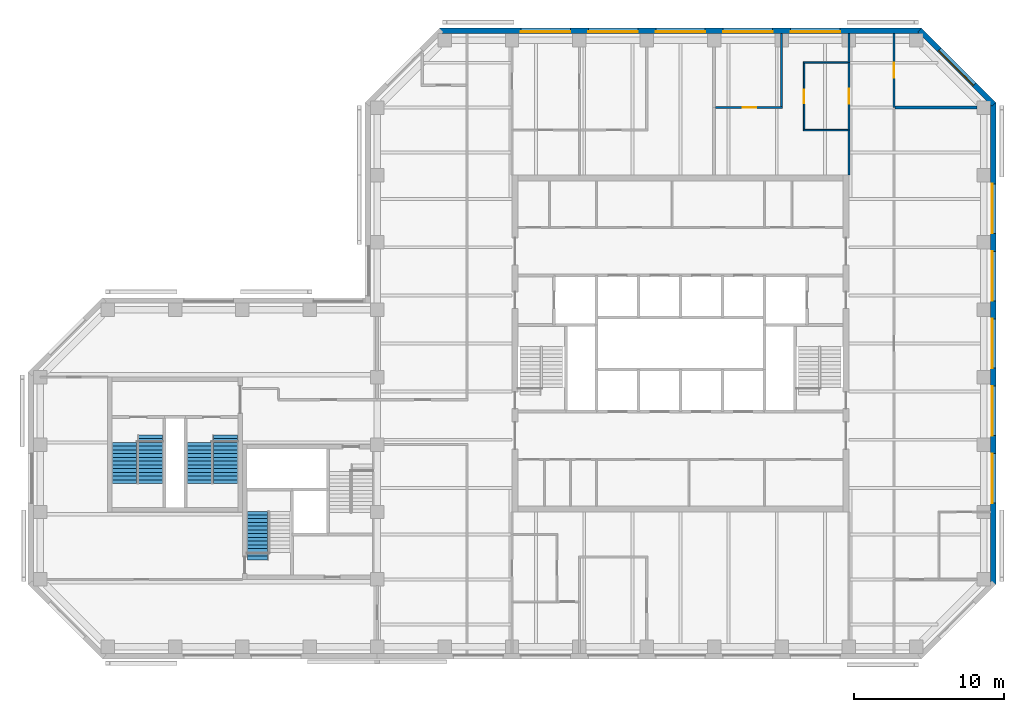
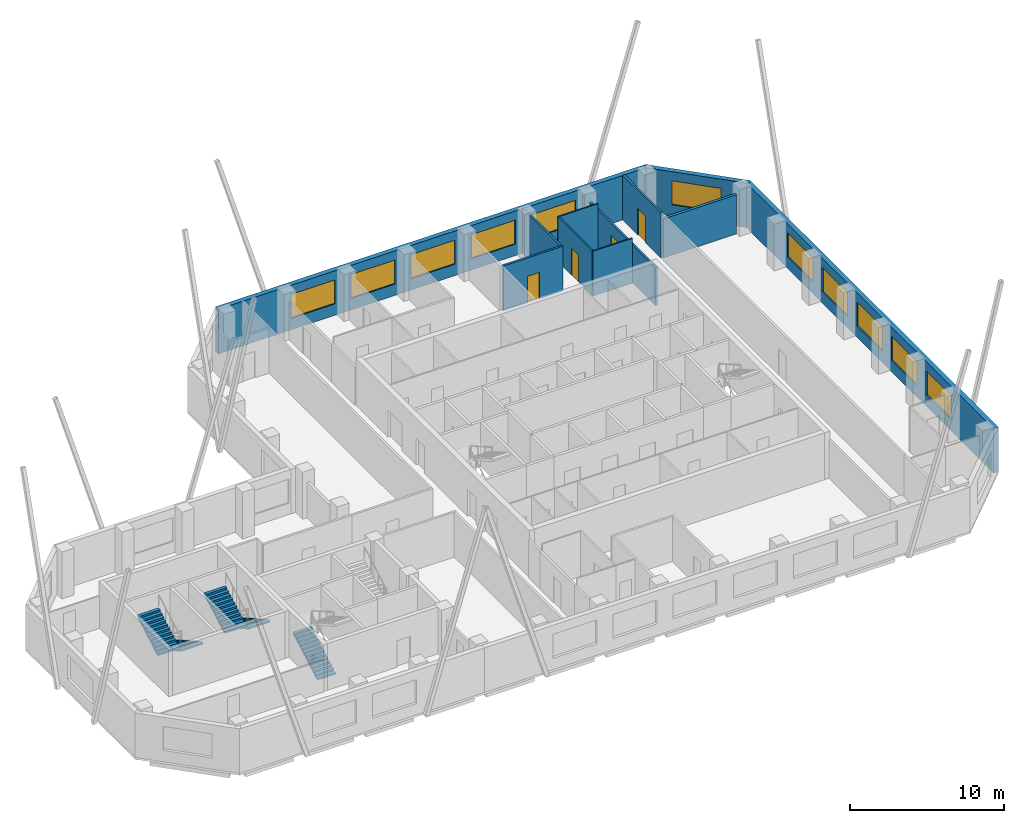
# One storey, part 7 of 9: 13 walls, 11 windows, 5 stair flights, 4 doors, 15 openings, 3 elements without a shape of their own.
"""IFC4 building model written with IfcOpenShell, lengths in metres."""

from ifc_helpers import new_model, si_unit, direction, frame, frame_2d, origin, place, context, subcontext, project, spatial, polyline, rectangle, outline, extrude, material, layer, layer_set, constituent, constituent_set, type_object, element, fill, aggregate, save


model = new_model("IFC4")

# Units and contexts
model_context = context("Model", 3, precision=1e-05, world=origin(), true_north=direction((0.0, 1.0)))
body_context = subcontext(model_context, "Body", "Model", "MODEL_VIEW")
ifc_project = project(units=[si_unit("LENGTHUNIT", "METRE"), si_unit("AREAUNIT", "SQUARE_METRE"), si_unit("VOLUMEUNIT", "CUBIC_METRE"), si_unit("PLANEANGLEUNIT", "RADIAN"), si_unit("MASSUNIT", "GRAM", prefix="KILO")], contexts=[model_context])

# Site, building, storey
site_placement = place(None, origin())
site = spatial("IfcSite", under=ifc_project, at=site_placement, CompositionType="ELEMENT")
building_placement = place(site_placement, origin())
building = spatial("IfcBuilding", under=site, at=building_placement, Name="Quoin Convention Tower", CompositionType="ELEMENT")
storey_placement = place(building_placement, frame((0.0, 0.0, 173.60009765625)))
storey = spatial("IfcBuildingStorey", under=building, at=storey_placement, Name="L45", CompositionType="ELEMENT", Elevation=173.60009765625)

# Wall, opening, door
ifc_material_1 = material(Name="Plasterboard")
ifc_layer_1 = layer(ifc_material_1, 0.012451171875, Name="Finish")
ifc_material_2 = material(Name="Steel stud framing", Category="steel")
ifc_layer_2 = layer(ifc_material_2, 0.125, Name="Structure")
ifc_layer_3 = layer(ifc_material_1, 0.012451171875, Name="Finish")
ifc_layer_set_1 = layer_set([ifc_layer_1, ifc_layer_2, ifc_layer_3], Name="Steel stud framing")
wall_type_1 = type_object("IfcWallType", Name="Acoustic partition 150", PredefinedType="PARTITIONING", material=ifc_layer_set_1)
wall_1_placement = place(storey_placement, frame((58.60009765625, 76.5, 0.0), z_axis=(0.0, 0.0, 1.0), x_axis=(1.0, 0.0, 0.0)))
wall_1 = element("IfcWall", 1, at=wall_1_placement, inside=storey, type_object=wall_type_1, Name="pw-L45-021", PredefinedType="PARTITIONING", context=body_context, shape_type="SweptSolid", body=[
    extrude(rectangle(XDim=4.474853515625, YDim=0.14990234375, at=frame_2d((2.2373046875, 0.0))), origin(), (0.0, 0.0, 1.0), 3.5498046875),
])
opening_1_placement = place(wall_1_placement, frame((1.800048828125, 0.0, 0.0)))
opening_1 = element("IfcOpeningElement", 2, at=opening_1_placement, cuts=wall_1, Name="Opening DOH4-08", PredefinedType="OPENING", context=body_context, shape_type="SweptSolid", body=[
    extrude(rectangle(XDim=0.89990234375, YDim=2.10009765625, at=frame_2d((0.449951171875, 1.050048828125))), frame((0.0, 0.0849609375, 0.0), z_axis=(0.0, -1.0, 0.0), x_axis=(1.0, 0.0, 0.0)), (0.0, 0.0, 1.0), 0.169921875),
])
ifc_material_3 = material(Name="Steel door leaf", Category="steel")
door_type_1 = type_object("IfcDoorType", Name="Office door 900 x 2100", OperationType="SINGLE_SWING_RIGHT", PredefinedType="DOOR", material=ifc_material_3)
door_1_placement = place(opening_1_placement, frame((0.89990234375, 0.0, 0.0), z_axis=(0.0, 0.0, 1.0), x_axis=(-1.0, 0.0, 0.0)))
door_1 = element("IfcDoor", 3, at=door_1_placement, inside=storey, type_object=door_type_1, Name="dr-L45-21", OperationType="SINGLE_SWING_LEFT", OverallHeight=2.10009765625, OverallWidth=0.89990234375, PredefinedType="DOOR", context=body_context, shape_type="SweptSolid", body=[
    extrude(rectangle(XDim=0.89990234375, YDim=2.10009765625, at=frame_2d((0.449951171875, 1.050048828125))), frame((0.0, 0.02490234375, 0.0), z_axis=(0.0, -1.0, 0.0), x_axis=(1.0, 0.0, 0.0)), (0.0, 0.0, 1.0), 0.050048828125),
])
fill(opening_1, door_1)

# Wall
wall_2_placement = place(storey_placement, frame((63.0, 76.574951171875, 0.0), z_axis=(0.0, 0.0, 1.0), x_axis=(0.0, 1.0, 0.0)))
element("IfcWall", 4, at=wall_2_placement, inside=storey, type_object=wall_type_1, Name="pw-L45-063", PredefinedType="PARTITIONING", context=body_context, shape_type="SweptSolid", body=[
    extrude(rectangle(XDim=4.875, YDim=0.14990234375, at=frame_2d((2.4375, 0.0))), origin(), (0.0, 0.0, 1.0), 3.5498046875),
])

# Wall, openings, windows
ifc_material_4 = material(Name="Brick masonry", Category="masonry")
ifc_layer_4 = layer(ifc_material_4, 0.35009765625)
ifc_layer_set_2 = layer_set([ifc_layer_4], Name="Brick masonry")
wall_type_2 = type_object("IfcWallType", Name="Brick facade wall", PredefinedType="STANDARD", material=ifc_layer_set_2)
wall_3_placement = place(storey_placement, frame((77.125, 44.668701171875, 0.0), z_axis=(0.0, 0.0, 1.0), x_axis=(0.0, 1.0, 0.0)))
wall_3 = element("IfcWall", 5, at=wall_3_placement, inside=storey, type_object=wall_type_2, Name="fw-L45-76500_45000", PredefinedType="STANDARD", context=body_context, shape_type="SweptSolid", body=[
    extrude(rectangle(XDim=32.16259765625, YDim=0.35009765625, at=frame_2d((16.081298828125, 0.0))), origin(), (0.0, 0.0, 1.0), 3.52490234375),
])
opening_2_placement = place(wall_3_placement, frame((5.431396484375, 0.0, 0.89990234375)))
opening_2 = element("IfcOpeningElement", 6, at=opening_2_placement, cuts=wall_3, Name="Opening W-02", PredefinedType="OPENING", context=body_context, shape_type="SweptSolid", body=[
    extrude(rectangle(XDim=3.300048828125, YDim=1.89990234375, at=frame_2d((1.64990234375, 0.949951171875))), frame((0.0, 0.18505859375, 0.0), z_axis=(0.0, -1.0, 0.0), x_axis=(1.0, 0.0, 0.0)), (0.0, 0.0, 1.0), 0.3701171875),
])
opening_3_placement = place(wall_3_placement, frame((9.931396484375, 0.0, 0.89990234375)))
opening_3 = element("IfcOpeningElement", 7, at=opening_3_placement, cuts=wall_3, Name="Opening W-02", PredefinedType="OPENING", context=body_context, shape_type="SweptSolid", body=[
    extrude(rectangle(XDim=3.300048828125, YDim=1.89990234375, at=frame_2d((1.64990234375, 0.949951171875))), frame((0.0, 0.18505859375, 0.0), z_axis=(0.0, -1.0, 0.0), x_axis=(1.0, 0.0, 0.0)), (0.0, 0.0, 1.0), 0.3701171875),
])
opening_4_placement = place(wall_3_placement, frame((14.431396484375, 0.0, 0.89990234375)))
opening_4 = element("IfcOpeningElement", 8, at=opening_4_placement, cuts=wall_3, Name="Opening W-02", PredefinedType="OPENING", context=body_context, shape_type="SweptSolid", body=[
    extrude(rectangle(XDim=3.300048828125, YDim=1.89990234375, at=frame_2d((1.64990234375, 0.949951171875))), frame((0.0, 0.18505859375, 0.0), z_axis=(0.0, -1.0, 0.0), x_axis=(1.0, 0.0, 0.0)), (0.0, 0.0, 1.0), 0.3701171875),
])
opening_5_placement = place(wall_3_placement, frame((18.931396484375, 0.0, 0.89990234375)))
opening_5 = element("IfcOpeningElement", 9, at=opening_5_placement, cuts=wall_3, Name="Opening W-02", PredefinedType="OPENING", context=body_context, shape_type="SweptSolid", body=[
    extrude(rectangle(XDim=3.300048828125, YDim=1.89990234375, at=frame_2d((1.64990234375, 0.949951171875))), frame((0.0, 0.18505859375, 0.0), z_axis=(0.0, -1.0, 0.0), x_axis=(1.0, 0.0, 0.0)), (0.0, 0.0, 1.0), 0.3701171875),
])
opening_6_placement = place(wall_3_placement, frame((23.431396484375, 0.0, 0.89990234375)))
opening_6 = element("IfcOpeningElement", 10, at=opening_6_placement, cuts=wall_3, Name="Opening W-02", PredefinedType="OPENING", context=body_context, shape_type="SweptSolid", body=[
    extrude(rectangle(XDim=3.300048828125, YDim=1.89990234375, at=frame_2d((1.64990234375, 0.949951171875))), frame((0.0, 0.18505859375, 0.0), z_axis=(0.0, -1.0, 0.0), x_axis=(1.0, 0.0, 0.0)), (0.0, 0.0, 1.0), 0.3701171875),
])
ifc_material_5 = material(Name="Aluminium", Category="aluminium")
ifc_constituent_1 = constituent(ifc_material_5, Name="Frame")
ifc_material_6 = material(Name="Insulated glass", Category="glass")
ifc_constituent_2 = constituent(ifc_material_6, Name="Glazing")
ifc_constituent_set = constituent_set(constituents=[ifc_constituent_1, ifc_constituent_2], Name="Aluminium")
window_type = type_object("IfcWindowType", Name="Office window", PartitioningType="DOUBLE_PANEL_VERTICAL", PredefinedType="WINDOW", material=ifc_constituent_set)
window_1_placement = place(opening_2_placement, origin())
window_1 = element("IfcWindow", 11, at=window_1_placement, inside=storey, type_object=window_type, Name="win-L45-77125_51750", OverallHeight=1.89990234375, OverallWidth=3.300048828125, PartitioningType="SINGLE_PANEL", PredefinedType="WINDOW", context=body_context, shape_type="SweptSolid", body=[
    extrude(rectangle(XDim=3.300048828125, YDim=1.89990234375, at=frame_2d((1.64990234375, 0.949951171875))), frame((0.0, 0.0849609375, 0.0), z_axis=(0.0, -1.0, 0.0), x_axis=(1.0, 0.0, 0.0)), (0.0, 0.0, 1.0), 0.06005859375),
])
fill(opening_2, window_1)
window_2_placement = place(opening_3_placement, origin())
window_2 = element("IfcWindow", 12, at=window_2_placement, inside=storey, type_object=window_type, Name="win-L45-77125_56250", OverallHeight=1.89990234375, OverallWidth=3.300048828125, PartitioningType="SINGLE_PANEL", PredefinedType="WINDOW", context=body_context, shape_type="SweptSolid", body=[
    extrude(rectangle(XDim=3.300048828125, YDim=1.89990234375, at=frame_2d((1.64990234375, 0.949951171875))), frame((0.0, 0.0849609375, 0.0), z_axis=(0.0, -1.0, 0.0), x_axis=(1.0, 0.0, 0.0)), (0.0, 0.0, 1.0), 0.06005859375),
])
fill(opening_3, window_2)
window_3_placement = place(opening_4_placement, origin())
window_3 = element("IfcWindow", 13, at=window_3_placement, inside=storey, type_object=window_type, Name="win-L45-77125_60750", OverallHeight=1.89990234375, OverallWidth=3.300048828125, PartitioningType="SINGLE_PANEL", PredefinedType="WINDOW", context=body_context, shape_type="SweptSolid", body=[
    extrude(rectangle(XDim=3.300048828125, YDim=1.89990234375, at=frame_2d((1.64990234375, 0.949951171875))), frame((0.0, 0.0849609375, 0.0), z_axis=(0.0, -1.0, 0.0), x_axis=(1.0, 0.0, 0.0)), (0.0, 0.0, 1.0), 0.06005859375),
])
fill(opening_4, window_3)
window_4_placement = place(opening_5_placement, origin())
window_4 = element("IfcWindow", 14, at=window_4_placement, inside=storey, type_object=window_type, Name="win-L45-77125_65250", OverallHeight=1.89990234375, OverallWidth=3.300048828125, PartitioningType="SINGLE_PANEL", PredefinedType="WINDOW", context=body_context, shape_type="SweptSolid", body=[
    extrude(rectangle(XDim=3.300048828125, YDim=1.89990234375, at=frame_2d((1.64990234375, 0.949951171875))), frame((0.0, 0.0849609375, 0.0), z_axis=(0.0, -1.0, 0.0), x_axis=(1.0, 0.0, 0.0)), (0.0, 0.0, 1.0), 0.06005859375),
])
fill(opening_5, window_4)
window_5_placement = place(opening_6_placement, origin())
window_5 = element("IfcWindow", 15, at=window_5_placement, inside=storey, type_object=window_type, Name="win-L45-77125_69750", OverallHeight=1.89990234375, OverallWidth=3.300048828125, PartitioningType="SINGLE_PANEL", PredefinedType="WINDOW", context=body_context, shape_type="SweptSolid", body=[
    extrude(rectangle(XDim=3.300048828125, YDim=1.89990234375, at=frame_2d((1.64990234375, 0.949951171875))), frame((0.0, 0.0849609375, 0.0), z_axis=(0.0, -1.0, 0.0), x_axis=(1.0, 0.0, 0.0)), (0.0, 0.0, 1.0), 0.06005859375),
])
fill(opening_6, window_5)

# Wall, opening, window
wall_4_placement = place(storey_placement, frame((77.17626953125, 76.70751953125, 0.0), z_axis=(0.0, 0.0, 1.0), x_axis=(-0.707106781187, 0.707106781187, 0.0)))
wall_4 = element("IfcWall", 16, at=wall_4_placement, inside=storey, type_object=wall_type_2, Name="fw-L45-76500_76500", PredefinedType="STANDARD", context=body_context, shape_type="SweptSolid", body=[
    extrude(rectangle(XDim=7.02685546875, YDim=0.35009765625, at=frame_2d((3.513427734375, 0.0))), origin(), (0.0, 0.0, 1.0), 3.52490234375),
])
opening_7_placement = place(wall_4_placement, frame((1.86328125, 0.0, 0.89990234375)))
opening_7 = element("IfcOpeningElement", 17, at=opening_7_placement, cuts=wall_4, Name="Opening W-02", PredefinedType="OPENING", context=body_context, shape_type="SweptSolid", body=[
    extrude(rectangle(XDim=3.300048828125, YDim=1.89990234375, at=frame_2d((1.64990234375, 0.949951171875))), frame((0.0, 0.18505859375, 0.0), z_axis=(0.0, -1.0, 0.0), x_axis=(1.0, 0.0, 0.0)), (0.0, 0.0, 1.0), 0.3701171875),
])
window_6_placement = place(opening_7_placement, origin())
window_6 = element("IfcWindow", 18, at=window_6_placement, inside=storey, type_object=window_type, Name="win-L45-74692_79192", OverallHeight=1.89990234375, OverallWidth=3.300048828125, PartitioningType="SINGLE_PANEL", PredefinedType="WINDOW", context=body_context, shape_type="SweptSolid", body=[
    extrude(rectangle(XDim=3.300048828125, YDim=1.89990234375, at=frame_2d((1.64990234375, 0.949951171875))), frame((0.0, 0.0849609375, 0.0), z_axis=(0.0, -1.0, 0.0), x_axis=(1.0, 0.0, 0.0)), (0.0, 0.0, 1.0), 0.06005859375),
])
fill(opening_7, window_6)

# Wall, openings, windows
wall_5_placement = place(storey_placement, frame((72.331298828125, 81.625, 0.0), z_axis=(0.0, 0.0, 1.0), x_axis=(-1.0, 0.0, 0.0)))
wall_5 = element("IfcWall", 19, at=wall_5_placement, inside=storey, type_object=wall_type_2, Name="fw-L45-72000_81000", PredefinedType="STANDARD", context=body_context, shape_type="SweptSolid", body=[
    extrude(rectangle(XDim=32.16259765625, YDim=0.35009765625, at=frame_2d((16.081298828125, 0.0))), origin(), (0.0, 0.0, 1.0), 3.52490234375),
])
opening_8_placement = place(wall_5_placement, frame((5.431396484375, 0.0, 0.89990234375)))
opening_8 = element("IfcOpeningElement", 20, at=opening_8_placement, cuts=wall_5, Name="Opening W-02", PredefinedType="OPENING", context=body_context, shape_type="SweptSolid", body=[
    extrude(rectangle(XDim=3.300048828125, YDim=1.89990234375, at=frame_2d((1.64990234375, 0.949951171875))), frame((0.0, 0.18505859375, 0.0), z_axis=(0.0, -1.0, 0.0), x_axis=(1.0, 0.0, 0.0)), (0.0, 0.0, 1.0), 0.3701171875),
])
opening_9_placement = place(wall_5_placement, frame((9.931396484375, 0.0, 0.89990234375)))
opening_9 = element("IfcOpeningElement", 21, at=opening_9_placement, cuts=wall_5, Name="Opening W-02", PredefinedType="OPENING", context=body_context, shape_type="SweptSolid", body=[
    extrude(rectangle(XDim=3.300048828125, YDim=1.89990234375, at=frame_2d((1.64990234375, 0.949951171875))), frame((0.0, 0.18505859375, 0.0), z_axis=(0.0, -1.0, 0.0), x_axis=(1.0, 0.0, 0.0)), (0.0, 0.0, 1.0), 0.3701171875),
])
opening_10_placement = place(wall_5_placement, frame((14.431396484375, 0.0, 0.89990234375)))
opening_10 = element("IfcOpeningElement", 22, at=opening_10_placement, cuts=wall_5, Name="Opening W-02", PredefinedType="OPENING", context=body_context, shape_type="SweptSolid", body=[
    extrude(rectangle(XDim=3.300048828125, YDim=1.89990234375, at=frame_2d((1.64990234375, 0.949951171875))), frame((0.0, 0.18505859375, 0.0), z_axis=(0.0, -1.0, 0.0), x_axis=(1.0, 0.0, 0.0)), (0.0, 0.0, 1.0), 0.3701171875),
])
opening_11_placement = place(wall_5_placement, frame((18.931396484375, 0.0, 0.89990234375)))
opening_11 = element("IfcOpeningElement", 23, at=opening_11_placement, cuts=wall_5, Name="Opening W-02", PredefinedType="OPENING", context=body_context, shape_type="SweptSolid", body=[
    extrude(rectangle(XDim=3.300048828125, YDim=1.89990234375, at=frame_2d((1.64990234375, 0.949951171875))), frame((0.0, 0.18505859375, 0.0), z_axis=(0.0, -1.0, 0.0), x_axis=(1.0, 0.0, 0.0)), (0.0, 0.0, 1.0), 0.3701171875),
])
opening_12_placement = place(wall_5_placement, frame((23.431396484375, 0.0, 0.89990234375)))
opening_12 = element("IfcOpeningElement", 24, at=opening_12_placement, cuts=wall_5, Name="Opening W-02", PredefinedType="OPENING", context=body_context, shape_type="SweptSolid", body=[
    extrude(rectangle(XDim=3.300048828125, YDim=1.89990234375, at=frame_2d((1.64990234375, 0.949951171875))), frame((0.0, 0.18505859375, 0.0), z_axis=(0.0, -1.0, 0.0), x_axis=(1.0, 0.0, 0.0)), (0.0, 0.0, 1.0), 0.3701171875),
])
window_7_placement = place(opening_8_placement, origin())
window_7 = element("IfcWindow", 25, at=window_7_placement, inside=storey, type_object=window_type, Name="win-L45-65250_81625", OverallHeight=1.89990234375, OverallWidth=3.300048828125, PartitioningType="SINGLE_PANEL", PredefinedType="WINDOW", context=body_context, shape_type="SweptSolid", body=[
    extrude(rectangle(XDim=3.300048828125, YDim=1.89990234375, at=frame_2d((1.64990234375, 0.949951171875))), frame((0.0, 0.0849609375, 0.0), z_axis=(0.0, -1.0, 0.0), x_axis=(1.0, 0.0, 0.0)), (0.0, 0.0, 1.0), 0.06005859375),
])
fill(opening_8, window_7)
window_8_placement = place(opening_9_placement, origin())
window_8 = element("IfcWindow", 26, at=window_8_placement, inside=storey, type_object=window_type, Name="win-L45-60750_81625", OverallHeight=1.89990234375, OverallWidth=3.300048828125, PartitioningType="SINGLE_PANEL", PredefinedType="WINDOW", context=body_context, shape_type="SweptSolid", body=[
    extrude(rectangle(XDim=3.300048828125, YDim=1.89990234375, at=frame_2d((1.64990234375, 0.949951171875))), frame((0.0, 0.0849609375, 0.0), z_axis=(0.0, -1.0, 0.0), x_axis=(1.0, 0.0, 0.0)), (0.0, 0.0, 1.0), 0.06005859375),
])
fill(opening_9, window_8)
window_9_placement = place(opening_10_placement, origin())
window_9 = element("IfcWindow", 27, at=window_9_placement, inside=storey, type_object=window_type, Name="win-L45-56250_81625", OverallHeight=1.89990234375, OverallWidth=3.300048828125, PartitioningType="SINGLE_PANEL", PredefinedType="WINDOW", context=body_context, shape_type="SweptSolid", body=[
    extrude(rectangle(XDim=3.300048828125, YDim=1.89990234375, at=frame_2d((1.64990234375, 0.949951171875))), frame((0.0, 0.0849609375, 0.0), z_axis=(0.0, -1.0, 0.0), x_axis=(1.0, 0.0, 0.0)), (0.0, 0.0, 1.0), 0.06005859375),
])
fill(opening_10, window_9)
window_10_placement = place(opening_11_placement, origin())
window_10 = element("IfcWindow", 28, at=window_10_placement, inside=storey, type_object=window_type, Name="win-L45-51750_81625", OverallHeight=1.89990234375, OverallWidth=3.300048828125, PartitioningType="SINGLE_PANEL", PredefinedType="WINDOW", context=body_context, shape_type="SweptSolid", body=[
    extrude(rectangle(XDim=3.300048828125, YDim=1.89990234375, at=frame_2d((1.64990234375, 0.949951171875))), frame((0.0, 0.0849609375, 0.0), z_axis=(0.0, -1.0, 0.0), x_axis=(1.0, 0.0, 0.0)), (0.0, 0.0, 1.0), 0.06005859375),
])
fill(opening_11, window_10)
window_11_placement = place(opening_12_placement, origin())
window_11 = element("IfcWindow", 29, at=window_11_placement, inside=storey, type_object=window_type, Name="win-L45-47250_81625", OverallHeight=1.89990234375, OverallWidth=3.300048828125, PartitioningType="SINGLE_PANEL", PredefinedType="WINDOW", context=body_context, shape_type="SweptSolid", body=[
    extrude(rectangle(XDim=3.300048828125, YDim=1.89990234375, at=frame_2d((1.64990234375, 0.949951171875))), frame((0.0, 0.0849609375, 0.0), z_axis=(0.0, -1.0, 0.0), x_axis=(1.0, 0.0, 0.0)), (0.0, 0.0, 1.0), 0.06005859375),
])
fill(opening_12, window_11)

# Wall, opening, door
ifc_layer_5 = layer(ifc_material_1, 0.012451171875, Name="Finish")
ifc_layer_6 = layer(ifc_material_2, 0.125, Name="Structure")
ifc_layer_7 = layer(ifc_material_1, 0.012451171875, Name="Finish")
ifc_layer_set_3 = layer_set([ifc_layer_5, ifc_layer_6, ifc_layer_7], Name="Steel stud framing")
wall_type_3 = type_object("IfcWallType", Name="Corridor wall 150", PredefinedType="PARTITIONING", material=ifc_layer_set_3)
wall_6_placement = place(storey_placement, frame((70.5, 76.5, 0.0), z_axis=(0.0, 0.0, 1.0), x_axis=(0.0, 1.0, 0.0)))
wall_6 = element("IfcWall", 30, at=wall_6_placement, inside=storey, type_object=wall_type_3, Name="pw-L45-062", PredefinedType="PARTITIONING", context=body_context, shape_type="SweptSolid", body=[
    extrude(rectangle(XDim=4.949951171875, YDim=0.14990234375, at=frame_2d((2.47509765625, 0.0))), origin(), (0.0, 0.0, 1.0), 3.5498046875),
])
opening_13_placement = place(wall_6_placement, frame((2.0, 0.0, 0.0)))
opening_13 = element("IfcOpeningElement", 31, at=opening_13_placement, cuts=wall_6, Name="Opening DOH4-19", PredefinedType="OPENING", context=body_context, shape_type="SweptSolid", body=[
    extrude(rectangle(XDim=1.0, YDim=2.10009765625, at=frame_2d((0.5, 1.050048828125))), frame((0.0, 0.0849609375, 0.0), z_axis=(0.0, -1.0, 0.0), x_axis=(1.0, 0.0, 0.0)), (0.0, 0.0, 1.0), 0.169921875),
])
door_type_2 = type_object("IfcDoorType", Name="Tenancy entrance door 1000 x 2100", OperationType="DOUBLE_DOOR_SINGLE_SWING", PredefinedType="DOOR", material=ifc_material_3)
door_2_placement = place(opening_13_placement, frame((1.0, 0.0, 0.0), z_axis=(0.0, 0.0, 1.0), x_axis=(-1.0, 0.0, 0.0)))
door_2 = element("IfcDoor", 32, at=door_2_placement, inside=storey, type_object=door_type_2, Name="dr-L45-25", OperationType="DOUBLE_DOOR_SINGLE_SWING", OverallHeight=2.10009765625, OverallWidth=1.0, PredefinedType="DOOR", context=body_context, shape_type="SweptSolid", body=[
    extrude(rectangle(XDim=1.0, YDim=2.10009765625, at=frame_2d((0.5, 1.050048828125))), frame((0.0, 0.02490234375, 0.0), z_axis=(0.0, -1.0, 0.0), x_axis=(1.0, 0.0, 0.0)), (0.0, 0.0, 1.0), 0.050048828125),
])
fill(opening_13, door_2)

# Wall
ifc_layer_8 = layer(ifc_material_1, 0.012451171875, Name="Finish")
ifc_layer_9 = layer(ifc_material_2, 0.125, Name="Structure")
ifc_layer_10 = layer(ifc_material_1, 0.012451171875, Name="Finish")
ifc_layer_set_4 = layer_set([ifc_layer_8, ifc_layer_9, ifc_layer_10], Name="Steel stud framing")
wall_type_4 = type_object("IfcWallType", Name="Corridor wall 150 under beam 528", PredefinedType="PARTITIONING", material=ifc_layer_set_4)
wall_7_placement = place(storey_placement, frame((67.5, 72.0, 0.0), z_axis=(0.0, 0.0, 1.0), x_axis=(0.0, 1.0, 0.0)))
element("IfcWall", 33, at=wall_7_placement, inside=storey, type_object=wall_type_4, Name="pw-L45-055", PredefinedType="PARTITIONING", context=body_context, shape_type="SweptSolid", body=[
    extrude(rectangle(XDim=3.0, YDim=0.14990234375, at=frame_2d((1.5, 0.0))), origin(), (0.0, 0.0, 1.0), 3.02197265625),
])

# Wall, opening, door
wall_8_placement = place(storey_placement, frame((67.5, 75.0, 0.0), z_axis=(0.0, 0.0, 1.0), x_axis=(0.0, 1.0, 0.0)))
wall_8 = element("IfcWall", 34, at=wall_8_placement, inside=storey, type_object=wall_type_4, Name="pw-L45-058", PredefinedType="PARTITIONING", context=body_context, shape_type="SweptSolid", body=[
    extrude(rectangle(XDim=4.5, YDim=0.14990234375, at=frame_2d((2.25, 0.0))), origin(), (0.0, 0.0, 1.0), 3.02197265625),
])
opening_14_placement = place(wall_8_placement, frame((1.75, 0.0, 0.0)))
opening_14 = element("IfcOpeningElement", 35, at=opening_14_placement, cuts=wall_8, Name="Opening DOH4-17", PredefinedType="OPENING", context=body_context, shape_type="SweptSolid", body=[
    extrude(rectangle(XDim=1.0, YDim=2.10009765625, at=frame_2d((0.5, 1.050048828125))), frame((0.0, 0.0849609375, 0.0), z_axis=(0.0, -1.0, 0.0), x_axis=(1.0, 0.0, 0.0)), (0.0, 0.0, 1.0), 0.169921875),
])
door_3_placement = place(opening_14_placement, origin())
door_3 = element("IfcDoor", 36, at=door_3_placement, inside=storey, type_object=door_type_2, Name="dr-L45-19", OperationType="DOUBLE_DOOR_SINGLE_SWING", OverallHeight=2.10009765625, OverallWidth=1.0, PredefinedType="DOOR", context=body_context, shape_type="SweptSolid", body=[
    extrude(rectangle(XDim=1.0, YDim=2.10009765625, at=frame_2d((0.5, 1.050048828125))), frame((0.0, 0.02490234375, 0.0), z_axis=(0.0, -1.0, 0.0), x_axis=(1.0, 0.0, 0.0)), (0.0, 0.0, 1.0), 0.050048828125),
])
fill(opening_14, door_3)

# Walls
wall_9_placement = place(storey_placement, frame((67.5, 79.5, 0.0), z_axis=(0.0, 0.0, 1.0), x_axis=(0.0, 1.0, 0.0)))
element("IfcWall", 37, at=wall_9_placement, inside=storey, type_object=wall_type_4, Name="pw-L45-066", PredefinedType="PARTITIONING", context=body_context, shape_type="SweptSolid", body=[
    extrude(rectangle(XDim=1.949951171875, YDim=0.14990234375, at=frame_2d((0.97509765625, 0.0))), origin(), (0.0, 0.0, 1.0), 3.02197265625),
])
ifc_layer_11 = layer(ifc_material_1, 0.012451171875, Name="Finish")
ifc_layer_12 = layer(ifc_material_2, 0.074951171875, Name="Structure")
ifc_layer_13 = layer(ifc_material_1, 0.012451171875, Name="Finish")
ifc_layer_set_5 = layer_set([ifc_layer_11, ifc_layer_12, ifc_layer_13], Name="Steel stud framing")
wall_type_5 = type_object("IfcWallType", Name="Stud partition 100", PredefinedType="PARTITIONING", material=ifc_layer_set_5)
for number, where, z_axis, x_axis, name in (
    (38, (64.449951171875, 75.0, 0.0), (0.0, 0.0, 1.0), (1.0, 0.0, 0.0), "pw-L45-020"),
    (39, (64.449951171875, 79.5, 0.0), (0.0, 0.0, 1.0), (1.0, 0.0, 0.0), "pw-L45-024"),
):
    element("IfcWall", number, at=place(storey_placement, frame(where, z_axis=z_axis, x_axis=x_axis)), inside=storey, type_object=wall_type_5, Name=name, PredefinedType="PARTITIONING", context=body_context, shape_type="SweptSolid", body=[
        extrude(rectangle(XDim=2.97509765625, YDim=0.10009765625, at=frame_2d((1.487548828125, 0.0))), origin(), (0.0, 0.0, 1.0), 3.5498046875),
    ])

# Wall, opening, door
wall_10_placement = place(storey_placement, frame((64.5, 75.050048828125, 0.0), z_axis=(0.0, 0.0, 1.0), x_axis=(0.0, 1.0, 0.0)))
wall_10 = element("IfcWall", 40, at=wall_10_placement, inside=storey, type_object=wall_type_5, Name="pw-L45-059", PredefinedType="PARTITIONING", context=body_context, shape_type="SweptSolid", body=[
    extrude(rectangle(XDim=4.39990234375, YDim=0.10009765625, at=frame_2d((2.199951171875, 0.0))), origin(), (0.0, 0.0, 1.0), 3.5498046875),
])
opening_15_placement = place(wall_10_placement, frame((1.75, 0.0, 0.0)))
opening_15 = element("IfcOpeningElement", 41, at=opening_15_placement, cuts=wall_10, Name="Opening DOH4-18", PredefinedType="OPENING", context=body_context, shape_type="SweptSolid", body=[
    extrude(rectangle(XDim=0.89990234375, YDim=2.10009765625, at=frame_2d((0.449951171875, 1.050048828125))), frame((0.0, 0.06005859375, 0.0), z_axis=(0.0, -1.0, 0.0), x_axis=(1.0, 0.0, 0.0)), (0.0, 0.0, 1.0), 0.1201171875),
])
door_4_placement = place(opening_15_placement, origin())
door_4 = element("IfcDoor", 42, at=door_4_placement, inside=storey, type_object=door_type_1, Name="dr-L45-20", OperationType="SINGLE_SWING_RIGHT", OverallHeight=2.10009765625, OverallWidth=0.89990234375, PredefinedType="DOOR", context=body_context, shape_type="SweptSolid", body=[
    extrude(rectangle(XDim=0.89990234375, YDim=2.10009765625, at=frame_2d((0.449951171875, 1.050048828125))), frame((0.0, 0.02490234375, 0.0), z_axis=(0.0, -1.0, 0.0), x_axis=(1.0, 0.0, 0.0)), (0.0, 0.0, 1.0), 0.050048828125),
])
fill(opening_15, door_4)

# Wall
ifc_layer_14 = layer(ifc_material_1, 0.012451171875, Name="Finish")
ifc_layer_15 = layer(ifc_material_2, 0.175048828125, Name="Structure")
ifc_layer_16 = layer(ifc_material_1, 0.012451171875, Name="Finish")
ifc_layer_set_6 = layer_set([ifc_layer_14, ifc_layer_15, ifc_layer_16], Name="Steel stud framing")
wall_type_6 = type_object("IfcWallType", Name="Tenancy demising wall 200 under beam 454", PredefinedType="PARTITIONING", material=ifc_layer_set_6)
wall_11_placement = place(storey_placement, frame((70.574951171875, 76.5, 0.0), z_axis=(0.0, 0.0, 1.0), x_axis=(1.0, 0.0, 0.0)))
element("IfcWall", 43, at=wall_11_placement, inside=storey, type_object=wall_type_6, Name="pw-L45-022", PredefinedType="PARTITIONING", context=body_context, shape_type="SweptSolid", body=[
    extrude(rectangle(XDim=5.47509765625, YDim=0.199951171875, at=frame_2d((2.737548828125, 0.0))), origin(), (0.0, 0.0, 1.0), 3.095947265625),
])

# Stair, stair flight
ifc_material_7 = material(Name="Concrete C40", Category="concrete")
stair_type_1 = type_object("IfcStairType", Name="Exit stair two-flight 1350", PredefinedType="HALF_TURN_STAIR", material=ifc_material_7)
stair_1_placement = place(storey_placement, origin())
stair_1 = element("IfcStair", 44, at=stair_1_placement, inside=storey, type_object=stair_type_1, Name="SD3 L45", PredefinedType="HALF_TURN_STAIR")
stair_flight_type_1 = type_object("IfcStairFlightType", Name="Stair flight 1350", PredefinedType="STRAIGHT", material=ifc_material_7)
stair_flight_1_placement = place(storey_placement, frame((28.0, 46.300048828125, 0.0), z_axis=(0.0, 0.0, 1.0), x_axis=(0.0, 1.0, 0.0)))
stair_flight_1 = element("IfcStairFlight", 45, at=stair_flight_1_placement, type_object=stair_flight_type_1, Name="ST3 flight 1", NumberOfRisers=14, NumberOfTreads=13, PredefinedType="STRAIGHT", RiserHeight=0.142307692, TreadLength=0.25, context=body_context, shape_type="SweptSolid", body=[
    extrude(outline(polyline([(0.0, 0.0), (0.0, 0.142333984375), (0.25, 0.142333984375), (0.25, 0.28466796875), (0.5, 0.28466796875), (0.5, 0.427001953125), (0.75, 0.427001953125), (0.75, 0.5693359375), (1.0, 0.5693359375), (1.0, 0.71142578125), (1.25, 0.71142578125), (1.25, 0.853759765625), (1.5, 0.853759765625), (1.5, 0.99609375), (1.75, 0.99609375), (1.75, 1.138427734375), (2.0, 1.138427734375), (2.0, 1.28076171875), (2.25, 1.28076171875), (2.25, 1.423095703125), (2.5, 1.423095703125), (2.5, 1.5654296875), (2.75, 1.5654296875), (2.75, 1.707763671875), (3.0, 1.707763671875), (3.0, 1.85009765625), (3.25, 1.85009765625), (3.25, 1.9921875), (3.25, 1.711669921875), (0.242919921875, 0.0), (0.0, 0.0)])), frame((0.0, 0.675048828125, 0.0), z_axis=(0.0, -1.0, 0.0), x_axis=(1.0, 0.0, 0.0)), (0.0, 0.0, 1.0), 1.35009765625),
])
aggregate(stair_1, [stair_flight_1])

# Stair, stair flights
stair_type_2 = type_object("IfcStairType", Name="Exit stair two-flight 1600", PredefinedType="HALF_TURN_STAIR", material=ifc_material_7)
stair_2_placement = place(storey_placement, origin())
stair_2 = element("IfcStair", 46, at=stair_2_placement, inside=storey, type_object=stair_type_2, Name="SD11 L45", PredefinedType="HALF_TURN_STAIR")
stair_flight_type_2 = type_object("IfcStairFlightType", Name="Stair flight 1600", PredefinedType="STRAIGHT", material=ifc_material_7)
stair_flight_2_placement = place(storey_placement, frame((20.875, 54.64990234375, 0.0), z_axis=(0.0, 0.0, 1.0), x_axis=(0.0, -1.0, 0.0)))
stair_flight_2 = element("IfcStairFlight", 47, at=stair_flight_2_placement, type_object=stair_flight_type_2, Name="ST11 flight 1", NumberOfRisers=14, NumberOfTreads=13, PredefinedType="STRAIGHT", RiserHeight=0.142307692, TreadLength=0.25, context=body_context, shape_type="SweptSolid", body=[
    extrude(outline(polyline([(0.0, 0.0), (0.0, 0.142333984375), (0.25, 0.142333984375), (0.25, 0.28466796875), (0.5, 0.28466796875), (0.5, 0.427001953125), (0.75, 0.427001953125), (0.75, 0.5693359375), (1.0, 0.5693359375), (1.0, 0.71142578125), (1.25, 0.71142578125), (1.25, 0.853759765625), (1.5, 0.853759765625), (1.5, 0.99609375), (1.75, 0.99609375), (1.75, 1.138427734375), (2.0, 1.138427734375), (2.0, 1.28076171875), (2.25, 1.28076171875), (2.25, 1.423095703125), (2.5, 1.423095703125), (2.5, 1.5654296875), (2.75, 1.5654296875), (2.75, 1.707763671875), (3.0, 1.707763671875), (3.0, 1.85009765625), (3.25, 1.85009765625), (3.25, 1.9921875), (3.25, 1.711669921875), (0.242919921875, 0.0), (0.0, 0.0)])), frame((0.0, 0.800048828125, 0.0), z_axis=(0.0, -1.0, 0.0), x_axis=(1.0, 0.0, 0.0)), (0.0, 0.0, 1.0), 1.60009765625),
])
stair_flight_3_placement = place(storey_placement, frame((19.125, 51.39990234375, 1.9921875), z_axis=(0.0, 0.0, 1.0), x_axis=(0.0, 1.0, 0.0)))
stair_flight_3 = element("IfcStairFlight", 48, at=stair_flight_3_placement, type_object=stair_flight_type_2, Name="ST11 flight 2", NumberOfRisers=12, NumberOfTreads=11, PredefinedType="STRAIGHT", RiserHeight=0.142307692, TreadLength=0.25, context=body_context, shape_type="SweptSolid", body=[
    extrude(outline(polyline([(0.0, 0.0), (0.0, 0.142333984375), (0.25, 0.142333984375), (0.25, 0.28466796875), (0.5, 0.28466796875), (0.5, 0.427001953125), (0.75, 0.427001953125), (0.75, 0.5693359375), (1.0, 0.5693359375), (1.0, 0.71142578125), (1.25, 0.71142578125), (1.25, 0.853759765625), (1.5, 0.853759765625), (1.5, 0.99609375), (1.75, 0.99609375), (1.75, 1.138427734375), (2.0, 1.138427734375), (2.0, 1.28076171875), (2.25, 1.28076171875), (2.25, 1.423095703125), (2.5, 1.423095703125), (2.5, 1.5654296875), (2.75, 1.5654296875), (2.75, 1.707763671875), (2.75, 1.42724609375), (0.242919921875, 0.0), (0.0, 0.0)])), frame((0.0, 0.800048828125, 0.0), z_axis=(0.0, -1.0, 0.0), x_axis=(1.0, 0.0, 0.0)), (0.0, 0.0, 1.0), 1.60009765625),
])
aggregate(stair_2, [stair_flight_2, stair_flight_3])

stair_3_placement = place(storey_placement, origin())
stair_3 = element("IfcStair", 49, at=stair_3_placement, inside=storey, type_object=stair_type_2, Name="SD12 L45", PredefinedType="HALF_TURN_STAIR")
stair_flight_4_placement = place(storey_placement, frame((25.875, 54.64990234375, 0.0), z_axis=(0.0, 0.0, 1.0), x_axis=(0.0, -1.0, 0.0)))
stair_flight_4 = element("IfcStairFlight", 50, at=stair_flight_4_placement, type_object=stair_flight_type_2, Name="ST12 flight 1", NumberOfRisers=14, NumberOfTreads=13, PredefinedType="STRAIGHT", RiserHeight=0.142307692, TreadLength=0.25, context=body_context, shape_type="SweptSolid", body=[
    extrude(outline(polyline([(0.0, 0.0), (0.0, 0.142333984375), (0.25, 0.142333984375), (0.25, 0.28466796875), (0.5, 0.28466796875), (0.5, 0.427001953125), (0.75, 0.427001953125), (0.75, 0.5693359375), (1.0, 0.5693359375), (1.0, 0.71142578125), (1.25, 0.71142578125), (1.25, 0.853759765625), (1.5, 0.853759765625), (1.5, 0.99609375), (1.75, 0.99609375), (1.75, 1.138427734375), (2.0, 1.138427734375), (2.0, 1.28076171875), (2.25, 1.28076171875), (2.25, 1.423095703125), (2.5, 1.423095703125), (2.5, 1.5654296875), (2.75, 1.5654296875), (2.75, 1.707763671875), (3.0, 1.707763671875), (3.0, 1.85009765625), (3.25, 1.85009765625), (3.25, 1.9921875), (3.25, 1.711669921875), (0.242919921875, 0.0), (0.0, 0.0)])), frame((0.0, 0.800048828125, 0.0), z_axis=(0.0, -1.0, 0.0), x_axis=(1.0, 0.0, 0.0)), (0.0, 0.0, 1.0), 1.60009765625),
])
stair_flight_5_placement = place(storey_placement, frame((24.125, 51.39990234375, 1.9921875), z_axis=(0.0, 0.0, 1.0), x_axis=(0.0, 1.0, 0.0)))
stair_flight_5 = element("IfcStairFlight", 51, at=stair_flight_5_placement, type_object=stair_flight_type_2, Name="ST12 flight 2", NumberOfRisers=12, NumberOfTreads=11, PredefinedType="STRAIGHT", RiserHeight=0.142307692, TreadLength=0.25, context=body_context, shape_type="SweptSolid", body=[
    extrude(outline(polyline([(0.0, 0.0), (0.0, 0.142333984375), (0.25, 0.142333984375), (0.25, 0.28466796875), (0.5, 0.28466796875), (0.5, 0.427001953125), (0.75, 0.427001953125), (0.75, 0.5693359375), (1.0, 0.5693359375), (1.0, 0.71142578125), (1.25, 0.71142578125), (1.25, 0.853759765625), (1.5, 0.853759765625), (1.5, 0.99609375), (1.75, 0.99609375), (1.75, 1.138427734375), (2.0, 1.138427734375), (2.0, 1.28076171875), (2.25, 1.28076171875), (2.25, 1.423095703125), (2.5, 1.423095703125), (2.5, 1.5654296875), (2.75, 1.5654296875), (2.75, 1.707763671875), (2.75, 1.42724609375), (0.242919921875, 0.0), (0.0, 0.0)])), frame((0.0, 0.800048828125, 0.0), z_axis=(0.0, -1.0, 0.0), x_axis=(1.0, 0.0, 0.0)), (0.0, 0.0, 1.0), 1.60009765625),
])
aggregate(stair_3, [stair_flight_4, stair_flight_5])

save(model, "model.ifc")
